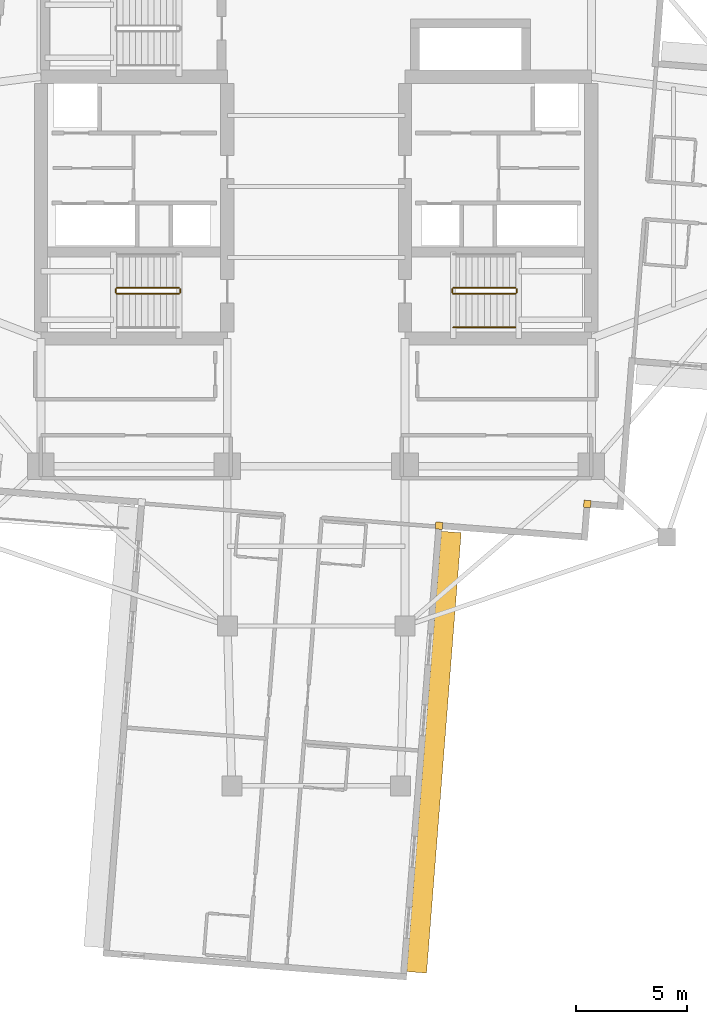
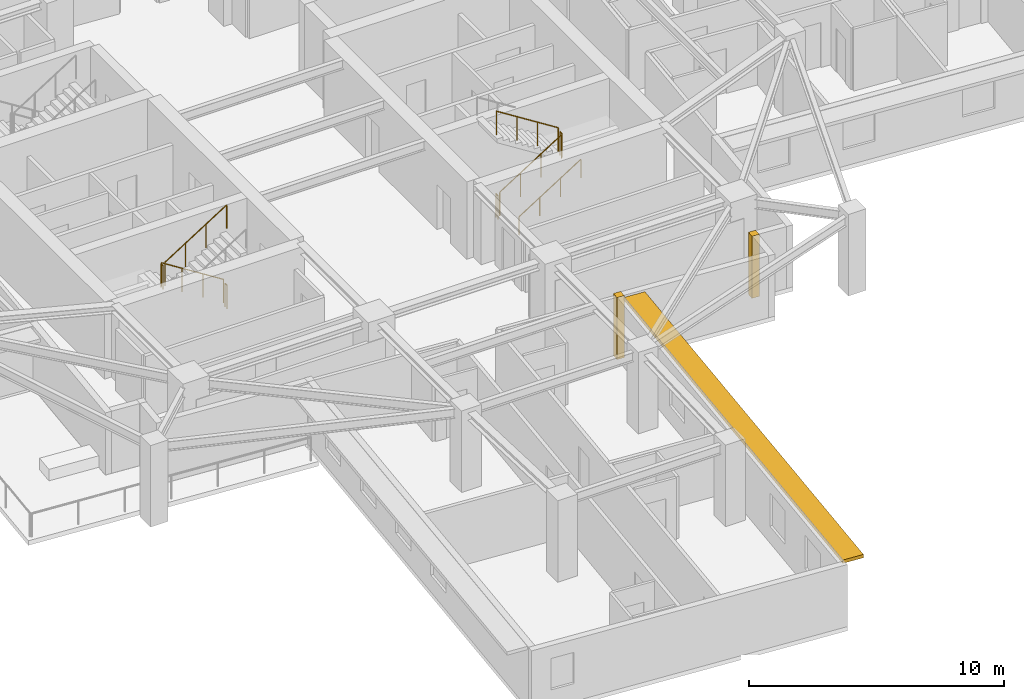
# One storey, part 11 of 14: 9 railings, 2 coverings, 1 shading device.
"""IFC4 building model written with IfcOpenShell, lengths in metres."""

from ifc_helpers import new_model, si_unit, direction, frame, origin, origin_2d, place, context, subcontext, project, spatial, rectangle, circle, extrude, material, layer, layer_set, type_object, element, save


model = new_model("IFC4")

# Units and contexts
model_context = context("Model", 3, precision=1e-05, world=origin(), true_north=direction((0.0, 1.0)))
body_context = subcontext(model_context, "Body", "Model", "MODEL_VIEW")
ifc_project = project(units=[si_unit("LENGTHUNIT", "METRE"), si_unit("AREAUNIT", "SQUARE_METRE"), si_unit("VOLUMEUNIT", "CUBIC_METRE"), si_unit("PLANEANGLEUNIT", "RADIAN"), si_unit("MASSUNIT", "GRAM", prefix="KILO")], contexts=[model_context])

# Site, building, storey
site_placement = place(None, origin())
site = spatial("IfcSite", under=ifc_project, at=site_placement, CompositionType="ELEMENT")
building_placement = place(site_placement, origin())
building = spatial("IfcBuilding", under=site, at=building_placement, Name="Qingluan Cross Belvedere", CompositionType="ELEMENT")
storey_placement = place(building_placement, frame((0.0, 0.0, 164.39990234375)))
storey = spatial("IfcBuildingStorey", under=building, at=storey_placement, Name="L41", CompositionType="ELEMENT", Elevation=164.39990234375)

# Coverings
ifc_material_1 = material(Name="Precast concrete C45", Category="concrete")
ifc_layer_1 = layer(ifc_material_1, 0.1201171875, Name="ConcreteSpandrelCladding_120")
ifc_layer_set_1 = layer_set([ifc_layer_1], Name="Precast concrete C45")
covering_type = type_object("IfcCoveringType", Name="ConcreteSpandrelCladding_120", PredefinedType="CLADDING", material=ifc_layer_set_1)
for number, where, z_axis, x_axis, name in (
    (1, (12.215576171875, -14.302490234375, 0.0), (0.0, 0.0, 1.0), (0.996917333733, -0.078459095728, 0.0), "Corner closure L41-SE1"),
    (2, (5.5380859375, -15.281494140625, 0.0), (0.0, 0.0, 1.0), (0.996917333733, -0.078459095728, 0.0), "Corner closure L41-SE2"),
):
    element("IfcCovering", number, at=place(storey_placement, frame(where, z_axis=z_axis, x_axis=x_axis)), inside=storey, type_object=covering_type, Name=name, PredefinedType="CLADDING", context=body_context, shape_type="SweptSolid", body=[
        extrude(rectangle(XDim=0.320068359375, YDim=0.320068359375, at=origin_2d()), origin(), (0.0, 0.0, 1.0), 2.969970703125),
    ])

# Shading device
ifc_material_2 = material(Name="Precast concrete C45", Category="concrete")
ifc_layer_2 = layer(ifc_material_2, 0.159912109375, Name="ConcreteSunshadeBand_900")
ifc_layer_set_2 = layer_set([ifc_layer_2], Name="Precast concrete C45")
shading_device_type = type_object("IfcShadingDeviceType", Name="ConcreteSunshadeBand_900", PredefinedType="USERDEFINED", material=ifc_layer_set_2)
shading_device_placement = place(storey_placement, frame((5.306884765625, -25.48486328125, 2.7900390625), z_axis=(0.0, 0.0, 1.0), x_axis=(0.078457869429, 0.996917430244, 0.0)))
element("IfcShadingDevice", 3, at=shading_device_placement, inside=storey, type_object=shading_device_type, Name="Concrete SUNSHADE L41-SB", ObjectType="SUNSHADE", PredefinedType="USERDEFINED", context=body_context, shape_type="SweptSolid", body=[
    extrude(rectangle(XDim=19.89990234375, YDim=0.89990234375, at=origin_2d()), origin(), (0.0, 0.0, 1.0), 0.159912109375),
])

# Railings
ifc_material_3 = material(Name="Brushed stainless steel tubular handrail", Category="steel")
railing_type_1 = type_object("IfcRailingType", Name="StairPitchHandrail_900", PredefinedType="HANDRAIL", material=ifc_material_3)
railing_1_placement = place(storey_placement, frame((6.179931640625, -6.35009765625, 0.177490234375)))
element("IfcRailing", 4, at=railing_1_placement, inside=storey, type_object=railing_type_1, Name="L41 ST2 stair handrail 1", PredefinedType="HANDRAIL", context=body_context, shape_type="SweptSolid", body=[
    extrude(circle(Radius=0.02392578125, at=origin_2d()), frame((0.0, 0.0, 0.8759765625), z_axis=(0.844908973607, 0.0, 0.534910110503), x_axis=(0.0, 1.0, 0.0)), (0.0, 0.0, 1.0), 3.31396484375),
    extrude(circle(Radius=0.02099609375, at=origin_2d()), origin(), (0.0, 0.0, 1.0), 0.851806640625),
    extrude(circle(Radius=0.02099609375, at=origin_2d()), frame((0.933349609375, 0.0, 0.5908203125)), (0.0, 0.0, 1.0), 0.851806640625),
    extrude(circle(Radius=0.02099609375, at=origin_2d()), frame((1.86669921875, 0.0, 1.181884765625)), (0.0, 0.0, 1.0), 0.851806640625),
    extrude(circle(Radius=0.02099609375, at=origin_2d()), frame((2.800048828125, 0.0, 1.772705078125)), (0.0, 0.0, 1.0), 0.851806640625),
])
ifc_material_4 = material(Name="Painted steel stair well guard", Category="steel")
railing_type_2 = type_object("IfcRailingType", Name="StairWellGuard_1150", PredefinedType="BALUSTRADE", material=ifc_material_4)
railing_2_placement = place(storey_placement, frame((-6.179931640625, -4.570068359375, 0.177490234375)))
element("IfcRailing", 5, at=railing_2_placement, inside=storey, type_object=railing_type_2, Name="L41 ST1 stair guard 1", PredefinedType="BALUSTRADE", context=body_context, shape_type="SweptSolid", body=[
    extrude(circle(Radius=0.02392578125, at=origin_2d()), frame((0.0, 0.0, 1.1259765625), z_axis=(-0.844908973607, 0.0, 0.534910110503), x_axis=(0.0, -1.0, 0.0)), (0.0, 0.0, 1.0), 3.31396484375),
    extrude(circle(Radius=0.02099609375, at=origin_2d()), origin(), (0.0, 0.0, 1.0), 1.101806640625),
    extrude(circle(Radius=0.02099609375, at=origin_2d()), frame((-0.933349609375, 0.0, 0.5908203125)), (0.0, 0.0, 1.0), 1.101806640625),
    extrude(circle(Radius=0.02099609375, at=origin_2d()), frame((-1.86669921875, 0.0, 1.181884765625)), (0.0, 0.0, 1.0), 1.101806640625),
    extrude(circle(Radius=0.02099609375, at=origin_2d()), frame((-2.800048828125, 0.0, 1.772705078125)), (0.0, 0.0, 1.0), 1.101806640625),
])
railing_3_placement = place(storey_placement, frame((-9.030029296875, -4.6201171875, 1.9501953125)))
element("IfcRailing", 6, at=railing_3_placement, inside=storey, type_object=railing_type_2, Name="L41 ST1 stair guard 2", PredefinedType="BALUSTRADE", context=body_context, shape_type="SweptSolid", body=[
    extrude(circle(Radius=0.02392578125, at=origin_2d()), frame((0.0, 0.0, 1.1259765625), z_axis=(0.0, -1.0, 0.0), x_axis=(1.0, 0.0, 0.0)), (0.0, 0.0, 1.0), 0.159912109375),
    extrude(circle(Radius=0.02099609375, at=origin_2d()), origin(), (0.0, 0.0, 1.0), 1.101806640625),
    extrude(circle(Radius=0.02099609375, at=origin_2d()), frame((0.0, -0.159912109375, 0.0)), (0.0, 0.0, 1.0), 1.101806640625),
])
railing_4_placement = place(storey_placement, frame((-8.97998046875, -4.830078125, 2.12744140625)))
element("IfcRailing", 7, at=railing_4_placement, inside=storey, type_object=railing_type_2, Name="L41 ST1 stair guard 3", PredefinedType="BALUSTRADE", context=body_context, shape_type="SweptSolid", body=[
    extrude(circle(Radius=0.02392578125, at=origin_2d()), frame((0.0, 0.0, 1.1259765625), z_axis=(0.844908973607, 0.0, 0.534910110503), x_axis=(0.0, 1.0, 0.0)), (0.0, 0.0, 1.0), 3.31396484375),
    extrude(circle(Radius=0.02099609375, at=origin_2d()), origin(), (0.0, 0.0, 1.0), 1.101806640625),
    extrude(circle(Radius=0.02099609375, at=origin_2d()), frame((0.933349609375, 0.0, 0.5908203125)), (0.0, 0.0, 1.0), 1.101806640625),
    extrude(circle(Radius=0.02099609375, at=origin_2d()), frame((1.86669921875, 0.0, 1.181884765625)), (0.0, 0.0, 1.0), 1.101806640625),
    extrude(circle(Radius=0.02099609375, at=origin_2d()), frame((2.800048828125, 0.0, 1.772705078125)), (0.0, 0.0, 1.0), 1.101806640625),
])
railing_5_placement = place(storey_placement, frame((-6.1298828125, -4.6201171875, 0.0)))
element("IfcRailing", 8, at=railing_5_placement, inside=storey, type_object=railing_type_2, Name="L41 ST1 stair guard 4", PredefinedType="BALUSTRADE", context=body_context, shape_type="SweptSolid", body=[
    extrude(circle(Radius=0.02392578125, at=origin_2d()), frame((0.0, 0.0, 1.1259765625), z_axis=(0.0, -1.0, 0.0), x_axis=(1.0, 0.0, 0.0)), (0.0, 0.0, 1.0), 0.159912109375),
    extrude(circle(Radius=0.02099609375, at=origin_2d()), origin(), (0.0, 0.0, 1.0), 1.101806640625),
    extrude(circle(Radius=0.02099609375, at=origin_2d()), frame((0.0, -0.159912109375, 0.0)), (0.0, 0.0, 1.0), 1.101806640625),
])
railing_6_placement = place(storey_placement, frame((6.179931640625, -4.830078125, 0.177490234375)))
element("IfcRailing", 9, at=railing_6_placement, inside=storey, type_object=railing_type_2, Name="L41 ST2 stair guard 1", PredefinedType="BALUSTRADE", context=body_context, shape_type="SweptSolid", body=[
    extrude(circle(Radius=0.02392578125, at=origin_2d()), frame((0.0, 0.0, 1.1259765625), z_axis=(0.844908973607, 0.0, 0.534910110503), x_axis=(0.0, 1.0, 0.0)), (0.0, 0.0, 1.0), 3.31396484375),
    extrude(circle(Radius=0.02099609375, at=origin_2d()), origin(), (0.0, 0.0, 1.0), 1.101806640625),
    extrude(circle(Radius=0.02099609375, at=origin_2d()), frame((0.933349609375, 0.0, 0.5908203125)), (0.0, 0.0, 1.0), 1.101806640625),
    extrude(circle(Radius=0.02099609375, at=origin_2d()), frame((1.86669921875, 0.0, 1.181884765625)), (0.0, 0.0, 1.0), 1.101806640625),
    extrude(circle(Radius=0.02099609375, at=origin_2d()), frame((2.800048828125, 0.0, 1.772705078125)), (0.0, 0.0, 1.0), 1.101806640625),
])
railing_7_placement = place(storey_placement, frame((9.030029296875, -4.780029296875, 1.9501953125)))
element("IfcRailing", 10, at=railing_7_placement, inside=storey, type_object=railing_type_2, Name="L41 ST2 stair guard 2", PredefinedType="BALUSTRADE", context=body_context, shape_type="SweptSolid", body=[
    extrude(circle(Radius=0.02392578125, at=origin_2d()), frame((0.0, 0.0, 1.1259765625), z_axis=(0.0, 1.0, 0.0), x_axis=(-1.0, 0.0, 0.0)), (0.0, 0.0, 1.0), 0.159912109375),
    extrude(circle(Radius=0.02099609375, at=origin_2d()), origin(), (0.0, 0.0, 1.0), 1.101806640625),
    extrude(circle(Radius=0.02099609375, at=origin_2d()), frame((0.0, 0.159912109375, 0.0)), (0.0, 0.0, 1.0), 1.101806640625),
])
railing_8_placement = place(storey_placement, frame((8.97998046875, -4.570068359375, 2.12744140625)))
element("IfcRailing", 11, at=railing_8_placement, inside=storey, type_object=railing_type_2, Name="L41 ST2 stair guard 3", PredefinedType="BALUSTRADE", context=body_context, shape_type="SweptSolid", body=[
    extrude(circle(Radius=0.02392578125, at=origin_2d()), frame((0.0, 0.0, 1.1259765625), z_axis=(-0.844908973607, 0.0, 0.534910110503), x_axis=(0.0, -1.0, 0.0)), (0.0, 0.0, 1.0), 3.31396484375),
    extrude(circle(Radius=0.02099609375, at=origin_2d()), origin(), (0.0, 0.0, 1.0), 1.101806640625),
    extrude(circle(Radius=0.02099609375, at=origin_2d()), frame((-0.933349609375, 0.0, 0.5908203125)), (0.0, 0.0, 1.0), 1.101806640625),
    extrude(circle(Radius=0.02099609375, at=origin_2d()), frame((-1.86669921875, 0.0, 1.181884765625)), (0.0, 0.0, 1.0), 1.101806640625),
    extrude(circle(Radius=0.02099609375, at=origin_2d()), frame((-2.800048828125, 0.0, 1.772705078125)), (0.0, 0.0, 1.0), 1.101806640625),
])
railing_9_placement = place(storey_placement, frame((6.1298828125, -4.780029296875, 0.0)))
element("IfcRailing", 12, at=railing_9_placement, inside=storey, type_object=railing_type_2, Name="L41 ST2 stair guard 4", PredefinedType="BALUSTRADE", context=body_context, shape_type="SweptSolid", body=[
    extrude(circle(Radius=0.02392578125, at=origin_2d()), frame((0.0, 0.0, 1.1259765625), z_axis=(0.0, 1.0, 0.0), x_axis=(-1.0, 0.0, 0.0)), (0.0, 0.0, 1.0), 0.159912109375),
    extrude(circle(Radius=0.02099609375, at=origin_2d()), origin(), (0.0, 0.0, 1.0), 1.101806640625),
    extrude(circle(Radius=0.02099609375, at=origin_2d()), frame((0.0, 0.159912109375, 0.0)), (0.0, 0.0, 1.0), 1.101806640625),
])

save(model, "model.ifc")
